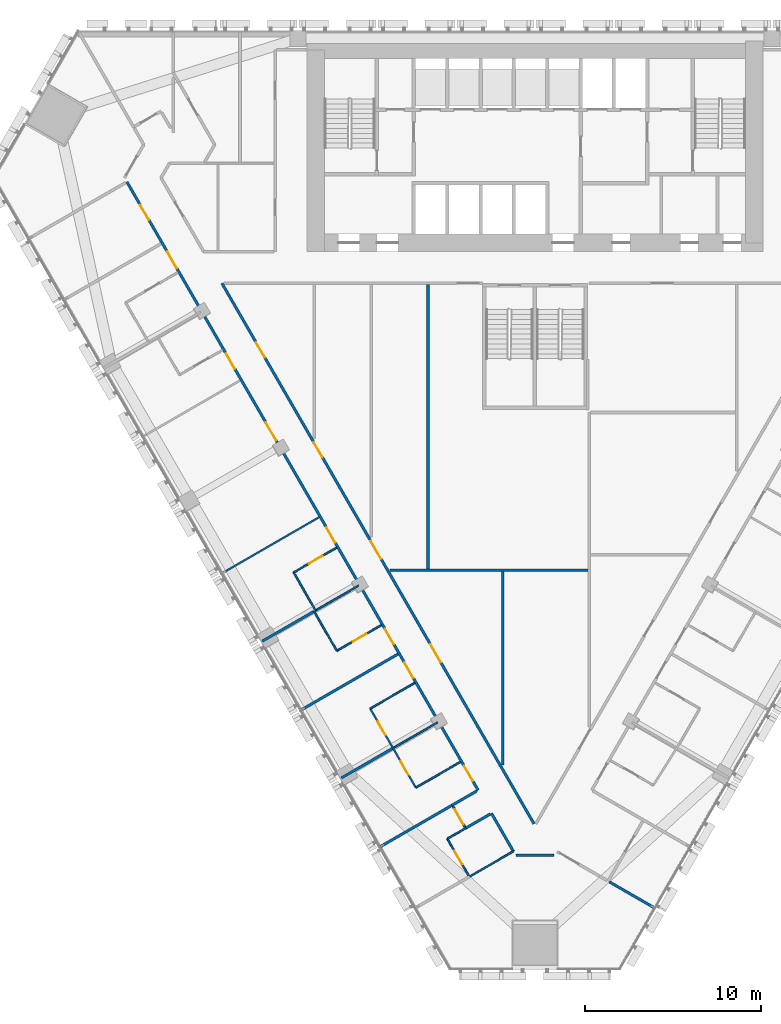
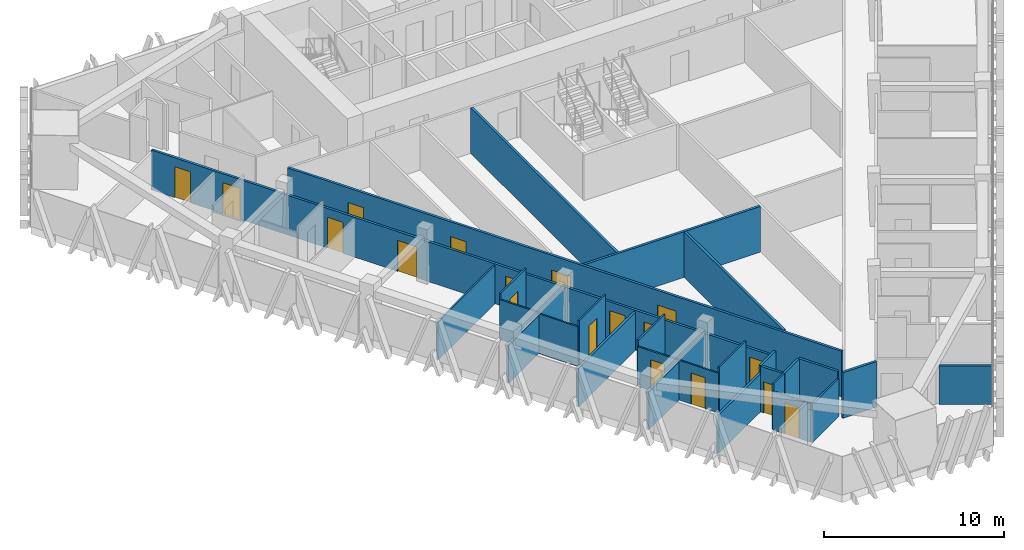
# One storey, part 10 of 18: 28 walls, 18 doors, 18 openings.
"""IFC4 building model written with IfcOpenShell, lengths in metres."""

from ifc_helpers import new_model, si_unit, direction, frame, frame_2d, origin, place, context, subcontext, project, spatial, rectangle, extrude, material, layer, layer_set, type_object, element, fill, save


model = new_model("IFC4")

# Units and contexts
model_context = context("Model", 3, precision=1e-05, world=origin(), true_north=direction((0.0, 1.0)))
body_context = subcontext(model_context, "Body", "Model", "MODEL_VIEW")
ifc_project = project(units=[si_unit("LENGTHUNIT", "METRE"), si_unit("AREAUNIT", "SQUARE_METRE"), si_unit("VOLUMEUNIT", "CUBIC_METRE"), si_unit("PLANEANGLEUNIT", "RADIAN"), si_unit("MASSUNIT", "GRAM", prefix="KILO")], contexts=[model_context])

# Site, building, storey
site_placement = place(None, origin())
site = spatial("IfcSite", under=ifc_project, at=site_placement, CompositionType="ELEMENT")
building_placement = place(site_placement, origin())
building = spatial("IfcBuilding", under=site, at=building_placement, Name="Altiplano Prism Tower", CompositionType="ELEMENT")
storey_placement = place(building_placement, frame((0.0, 0.0, 41.39990234375)))
storey = spatial("IfcBuildingStorey", under=building, at=storey_placement, Name="L09", CompositionType="ELEMENT", Elevation=41.39990234375)

# Wall
ifc_material_1 = material(Name="Plasterboard on steel stud", Category="steel")
ifc_layer_1 = layer(ifc_material_1, 0.10009765625)
ifc_layer_set_1 = layer_set([ifc_layer_1], Name="Plasterboard on steel stud")
wall_type_1 = type_object("IfcWallType", Name="Partition 100 unit", PredefinedType="PARTITIONING", material=ifc_layer_set_1)
wall_1_placement = place(storey_placement, frame((72.501220703125, 71.95703125, 0.0), z_axis=(0.0, 0.0, 1.0), x_axis=(-0.500004234368, 0.866022959057, 0.0)))
element("IfcWall", 1, at=wall_1_placement, inside=storey, type_object=wall_type_1, Name="Partition P02 L09 065", PredefinedType="PARTITIONING", context=body_context, shape_type="SweptSolid", body=[
    extrude(rectangle(XDim=2.5, YDim=0.10009765625, at=frame_2d((1.25, 0.0))), origin(), (0.0, 0.0, 1.0), 2.7001953125),
])

# Wall, opening, door
wall_2_placement = place(storey_placement, frame((71.251220703125, 74.1220703125, 0.0), z_axis=(0.0, 0.0, 1.0), x_axis=(0.866011447264, 0.500024172624, 0.0)))
wall_2 = element("IfcWall", 2, at=wall_2_placement, inside=storey, type_object=wall_type_1, Name="Partition P02 L09 066", PredefinedType="PARTITIONING", context=body_context, shape_type="SweptSolid", body=[
    extrude(rectangle(XDim=2.824951171875, YDim=0.10009765625, at=frame_2d((1.41259765625, 0.0))), origin(), (0.0, 0.0, 1.0), 3.10009765625),
])
opening_1_placement = place(wall_2_placement, frame((1.0, 0.0, 0.0)))
opening_1 = element("IfcOpeningElement", 3, at=opening_1_placement, cuts=wall_2, Name="Opening D0335", PredefinedType="OPENING", context=body_context, shape_type="SweptSolid", body=[
    extrude(rectangle(XDim=0.89990234375, YDim=2.10009765625, at=frame_2d((0.449951171875, 1.050048828125))), frame((0.0, 0.060546875, 0.0), z_axis=(0.0, -1.0, 0.0), x_axis=(1.0, 0.0, 0.0)), (0.0, 0.0, 1.0), 0.12109375),
])
ifc_material_2 = material(Name="Timber", Category="wood")
door_type_1 = type_object("IfcDoorType", Name="Ensuite door 900 x 2100", OperationType="NOTDEFINED", PredefinedType="NOTDEFINED", material=ifc_material_2)
door_1_placement = place(opening_1_placement, origin())
door_1 = element("IfcDoor", 4, at=door_1_placement, inside=storey, type_object=door_type_1, Name="Door D0335", OperationType="SINGLE_SWING_RIGHT", OverallHeight=2.10009765625, OverallWidth=0.89990234375, PredefinedType="NOTDEFINED", context=body_context, shape_type="SweptSolid", body=[
    extrude(rectangle(XDim=0.89990234375, YDim=2.10009765625, at=frame_2d((0.449951171875, 1.050048828125))), frame((0.0, 0.02490234375, 0.0), z_axis=(0.0, -1.0, 0.0), x_axis=(1.0, 0.0, 0.0)), (0.0, 0.0, 1.0), 0.050048828125),
])
fill(opening_1, door_1)

wall_3_placement = place(storey_placement, frame((76.24755859375, 71.117919921875, 0.0), z_axis=(0.0, 0.0, 1.0), x_axis=(-0.866025730634, -0.499999433879, 0.0)))
wall_3 = element("IfcWall", 5, at=wall_3_placement, inside=storey, type_object=wall_type_1, Name="Partition P02 L09 069", PredefinedType="PARTITIONING", context=body_context, shape_type="SweptSolid", body=[
    extrude(rectangle(XDim=2.9248046875, YDim=0.10009765625, at=frame_2d((1.46240234375, 0.0))), origin(), (0.0, 0.0, 1.0), 3.10009765625),
])
opening_2_placement = place(wall_3_placement, frame((0.97509765625, 0.0, 0.0)))
opening_2 = element("IfcOpeningElement", 6, at=opening_2_placement, cuts=wall_3, Name="Opening D0337", PredefinedType="OPENING", context=body_context, shape_type="SweptSolid", body=[
    extrude(rectangle(XDim=0.89990234375, YDim=2.10009765625, at=frame_2d((0.449951171875, 1.050048828125))), frame((0.0, 0.060546875, 0.0), z_axis=(0.0, -1.0, 0.0), x_axis=(1.0, 0.0, 0.0)), (0.0, 0.0, 1.0), 0.12109375),
])
door_2_placement = place(opening_2_placement, origin())
door_2 = element("IfcDoor", 7, at=door_2_placement, inside=storey, type_object=door_type_1, Name="Door D0337", OperationType="SINGLE_SWING_LEFT", OverallHeight=2.10009765625, OverallWidth=0.89990234375, PredefinedType="NOTDEFINED", context=body_context, shape_type="SweptSolid", body=[
    extrude(rectangle(XDim=0.89990234375, YDim=2.10009765625, at=frame_2d((0.449951171875, 1.050048828125))), frame((0.0, 0.02490234375, 0.0), z_axis=(0.0, -1.0, 0.0), x_axis=(1.0, 0.0, 0.0)), (0.0, 0.0, 1.0), 0.050048828125),
])
fill(opening_2, door_2)

# Wall
wall_4_placement = place(storey_placement, frame((73.714599609375, 69.655517578125, 0.0), z_axis=(0.0, 0.0, 1.0), x_axis=(-0.500047596559, 0.865997922154, 0.0)))
element("IfcWall", 8, at=wall_4_placement, inside=storey, type_object=wall_type_1, Name="Partition P02 L09 070", PredefinedType="PARTITIONING", context=body_context, shape_type="SweptSolid", body=[
    extrude(rectangle(XDim=2.599853515625, YDim=0.10009765625, at=frame_2d((1.2998046875, 0.0))), origin(), (0.0, 0.0, 1.0), 2.7001953125),
])

# Wall, openings, doors
wall_5_placement = place(storey_placement, frame((78.214599609375, 61.861083984375, 0.0), z_axis=(0.0, 0.0, 1.0), x_axis=(-0.500006934395, 0.866021400173, 0.0)))
wall_5 = element("IfcWall", 9, at=wall_5_placement, inside=storey, type_object=wall_type_1, Name="Partition P02 L09 072", PredefinedType="PARTITIONING", context=body_context, shape_type="SweptSolid", body=[
    extrude(rectangle(XDim=5.2001953125, YDim=0.10009765625, at=frame_2d((2.60009765625, 0.0))), origin(), (0.0, 0.0, 1.0), 2.7001953125),
])
opening_3_placement = place(wall_5_placement, frame((3.449951171875, 0.0, 0.0)))
opening_3 = element("IfcOpeningElement", 10, at=opening_3_placement, cuts=wall_5, Name="Opening D0339", PredefinedType="OPENING", context=body_context, shape_type="SweptSolid", body=[
    extrude(rectangle(XDim=0.89990234375, YDim=2.10009765625, at=frame_2d((0.449951171875, 1.050048828125))), frame((0.0, 0.060546875, 0.0), z_axis=(0.0, -1.0, 0.0), x_axis=(1.0, 0.0, 0.0)), (0.0, 0.0, 1.0), 0.12109375),
])
opening_4_placement = place(wall_5_placement, frame((0.85009765625, 0.0, 0.0)))
opening_4 = element("IfcOpeningElement", 11, at=opening_4_placement, cuts=wall_5, Name="Opening D0341", PredefinedType="OPENING", context=body_context, shape_type="SweptSolid", body=[
    extrude(rectangle(XDim=0.89990234375, YDim=2.10009765625, at=frame_2d((0.449951171875, 1.050048828125))), frame((0.0, 0.060546875, 0.0), z_axis=(0.0, -1.0, 0.0), x_axis=(1.0, 0.0, 0.0)), (0.0, 0.0, 1.0), 0.12109375),
])
door_3_placement = place(opening_3_placement, origin())
door_3 = element("IfcDoor", 12, at=door_3_placement, inside=storey, type_object=door_type_1, Name="Door D0339", OperationType="SINGLE_SWING_LEFT", OverallHeight=2.10009765625, OverallWidth=0.89990234375, PredefinedType="NOTDEFINED", context=body_context, shape_type="SweptSolid", body=[
    extrude(rectangle(XDim=0.89990234375, YDim=2.10009765625, at=frame_2d((0.449951171875, 1.050048828125))), frame((0.0, 0.02490234375, 0.0), z_axis=(0.0, -1.0, 0.0), x_axis=(1.0, 0.0, 0.0)), (0.0, 0.0, 1.0), 0.050048828125),
])
fill(opening_3, door_3)
door_4_placement = place(opening_4_placement, origin())
door_4 = element("IfcDoor", 13, at=door_4_placement, inside=storey, type_object=door_type_1, Name="Door D0341", OperationType="SINGLE_SWING_LEFT", OverallHeight=2.10009765625, OverallWidth=0.89990234375, PredefinedType="NOTDEFINED", context=body_context, shape_type="SweptSolid", body=[
    extrude(rectangle(XDim=0.89990234375, YDim=2.10009765625, at=frame_2d((0.449951171875, 1.050048828125))), frame((0.0, 0.02490234375, 0.0), z_axis=(0.0, -1.0, 0.0), x_axis=(1.0, 0.0, 0.0)), (0.0, 0.0, 1.0), 0.050048828125),
])
fill(opening_4, door_4)

# Walls
for number, where, z_axis, x_axis, name in (
    (14, (75.614501953125, 66.364501953125, 0.0), (0.0, 0.0, 1.0), (0.866046596414, 0.499963291492, 0.0), "Partition P02 L09 073"),
    (15, (80.74755859375, 63.32373046875, 0.0), (0.0, 0.0, 1.0), (-0.865989585315, -0.500062034277, 0.0), "Partition P02 L09 076"),
):
    element("IfcWall", number, at=place(storey_placement, frame(where, z_axis=z_axis, x_axis=x_axis)), inside=storey, type_object=wall_type_1, Name=name, PredefinedType="PARTITIONING", context=body_context, shape_type="SweptSolid", body=[
        extrude(rectangle(XDim=2.925048828125, YDim=0.10009765625, at=frame_2d((1.46240234375, 0.0))), origin(), (0.0, 0.0, 1.0), 3.10009765625),
    ])

# Wall, opening, door
wall_6_placement = place(storey_placement, frame((81.223876953125, 56.848876953125, 0.0), z_axis=(0.0, 0.0, 1.0), x_axis=(-0.499972286653, 0.866041403502, 0.0)))
wall_6 = element("IfcWall", 16, at=wall_6_placement, inside=storey, type_object=wall_type_1, Name="Partition P02 L09 078", PredefinedType="PARTITIONING", context=body_context, shape_type="SweptSolid", body=[
    extrude(rectangle(XDim=2.425048828125, YDim=0.10009765625, at=frame_2d((1.21240234375, 0.0))), origin(), (0.0, 0.0, 1.0), 2.60009765625),
])
opening_5_placement = place(wall_6_placement, frame((0.72509765625, 0.0, 0.0)))
opening_5 = element("IfcOpeningElement", 17, at=opening_5_placement, cuts=wall_6, Name="Opening D0343", PredefinedType="OPENING", context=body_context, shape_type="SweptSolid", body=[
    extrude(rectangle(XDim=0.89990234375, YDim=2.10009765625, at=frame_2d((0.449951171875, 1.050048828125))), frame((0.0, 0.060546875, 0.0), z_axis=(0.0, -1.0, 0.0), x_axis=(1.0, 0.0, 0.0)), (0.0, 0.0, 1.0), 0.12109375),
])
door_5_placement = place(opening_5_placement, origin())
door_5 = element("IfcDoor", 18, at=door_5_placement, inside=storey, type_object=door_type_1, Name="Door D0343", OperationType="SINGLE_SWING_LEFT", OverallHeight=2.10009765625, OverallWidth=0.89990234375, PredefinedType="NOTDEFINED", context=body_context, shape_type="SweptSolid", body=[
    extrude(rectangle(XDim=0.89990234375, YDim=2.10009765625, at=frame_2d((0.449951171875, 1.050048828125))), frame((0.0, 0.02490234375, 0.0), z_axis=(0.0, -1.0, 0.0), x_axis=(1.0, 0.0, 0.0)), (0.0, 0.0, 1.0), 0.050048828125),
])
fill(opening_5, door_5)

# Walls
wall_7_placement = place(storey_placement, frame((80.011474609375, 58.948974609375, 0.0), z_axis=(0.0, 0.0, 1.0), x_axis=(0.866042269935, 0.499970785833, 0.0)))
element("IfcWall", 19, at=wall_7_placement, inside=storey, type_object=wall_type_1, Name="Partition P02 L09 079", PredefinedType="PARTITIONING", context=body_context, shape_type="SweptSolid", body=[
    extrude(rectangle(XDim=1.2197265625, YDim=0.10009765625, at=frame_2d((0.60986328125, 0.0))), origin(), (0.0, 0.0, 1.0), 3.10009765625),
])
ifc_layer_2 = layer(ifc_material_1, 0.10009765625)
ifc_layer_set_2 = layer_set([ifc_layer_2], Name="Plasterboard on steel stud")
wall_type_2 = type_object("IfcWallType", Name="Partition 100 wet", PredefinedType="PARTITIONING", material=ifc_layer_set_2)
wall_8_placement = place(storey_placement, frame((67.20263671875, 74.093994140625, 0.0), z_axis=(0.0, 0.0, 1.0), x_axis=(0.866015781869, 0.500016665277, 0.0)))
element("IfcWall", 20, at=wall_8_placement, inside=storey, type_object=wall_type_2, Name="Partition P03 L09 064", PredefinedType="PARTITIONING", context=body_context, shape_type="SweptSolid", body=[
    extrude(rectangle(XDim=6.344970703125, YDim=0.10009765625, at=frame_2d((3.17236328125, 0.0))), origin(), (0.0, 0.0, 1.0), 2.60009765625),
])
wall_9_placement = place(storey_placement, frame((72.48388671875, 71.947021484375, 0.0), z_axis=(0.0, 0.0, 1.0), x_axis=(0.866011243319, 0.500024525844, 0.0)))
element("IfcWall", 21, at=wall_9_placement, inside=storey, type_object=wall_type_2, Name="Partition P03 L09 068", PredefinedType="PARTITIONING", context=body_context, shape_type="SweptSolid", body=[
    extrude(rectangle(XDim=2.844970703125, YDim=0.10009765625, at=frame_2d((1.42236328125, 0.0))), origin(), (0.0, 0.0, 1.0), 2.7001953125),
])
wall_10_placement = place(storey_placement, frame((76.957763671875, 64.137939453125, 0.0), z_axis=(0.0, 0.0, 1.0), x_axis=(0.866039941686, 0.499974818771, 0.0)))
element("IfcWall", 22, at=wall_10_placement, inside=storey, type_object=wall_type_2, Name="Partition P03 L09 075", PredefinedType="PARTITIONING", context=body_context, shape_type="SweptSolid", body=[
    extrude(rectangle(XDim=2.875244140625, YDim=0.10009765625, at=frame_2d((1.4375, 0.0))), origin(), (0.0, 0.0, 1.0), 2.7001953125),
])
wall_11_placement = place(storey_placement, frame((81.244140625, 56.77392578125, 0.0), z_axis=(0.0, 0.0, 1.0), x_axis=(0.866032430508, 0.49998782916, 0.0)))
element("IfcWall", 23, at=wall_11_placement, inside=storey, type_object=wall_type_2, Name="Partition P03 L09 082", PredefinedType="PARTITIONING", context=body_context, shape_type="SweptSolid", body=[
    extrude(rectangle(XDim=2.919921875, YDim=0.10009765625, at=frame_2d((1.4599609375, 0.0))), origin(), (0.0, 0.0, 1.0), 2.60009765625),
])

# Wall, openings, doors
ifc_layer_3 = layer(ifc_material_1, 0.14990234375)
ifc_layer_set_3 = layer_set([ifc_layer_3], Name="Plasterboard on steel stud")
wall_type_3 = type_object("IfcWallType", Name="Partition 150 corridor", PredefinedType="PARTITIONING", material=ifc_layer_set_3)
wall_12_placement = place(storey_placement, frame((61.75244140625, 96.37451171875, 0.0), z_axis=(0.0, 0.0, 1.0), x_axis=(0.500000920025, -0.866024872607, 0.0)))
wall_12 = element("IfcWall", 24, at=wall_12_placement, inside=storey, type_object=wall_type_3, Name="Partition P06 L09 013", PredefinedType="PARTITIONING", context=body_context, shape_type="SweptSolid", body=[
    extrude(rectangle(XDim=40.0205078125, YDim=0.14990234375, at=frame_2d((20.01025390625, 0.0))), origin(), (0.0, 0.0, 1.0), 2.7001953125),
])
opening_6_placement = place(wall_12_placement, frame((1.510009765625, 0.0, 0.0)))
opening_6 = element("IfcOpeningElement", 25, at=opening_6_placement, cuts=wall_12, Name="Opening D0328", PredefinedType="OPENING", context=body_context, shape_type="SweptSolid", body=[
    extrude(rectangle(XDim=1.0, YDim=2.10009765625, at=frame_2d((0.5, 1.050048828125))), frame((0.0, 0.08544921875, 0.0), z_axis=(0.0, -1.0, 0.0), x_axis=(1.0, 0.0, 0.0)), (0.0, 0.0, 1.0), 0.1708984375),
])
opening_7_placement = place(wall_12_placement, frame((4.591064453125, 0.0, 0.0)))
opening_7 = element("IfcOpeningElement", 26, at=opening_7_placement, cuts=wall_12, Name="Opening D0329", PredefinedType="OPENING", context=body_context, shape_type="SweptSolid", body=[
    extrude(rectangle(XDim=1.10009765625, YDim=2.10009765625, at=frame_2d((0.550048828125, 1.050048828125))), frame((0.0, 0.08544921875, 0.0), z_axis=(0.0, -1.0, 0.0), x_axis=(1.0, 0.0, 0.0)), (0.0, 0.0, 1.0), 0.1708984375),
])
opening_8_placement = place(wall_12_placement, frame((11.300048828125, 0.0, 0.0)))
opening_8 = element("IfcOpeningElement", 27, at=opening_8_placement, cuts=wall_12, Name="Opening D0331", PredefinedType="OPENING", context=body_context, shape_type="SweptSolid", body=[
    extrude(rectangle(XDim=1.0, YDim=2.10009765625, at=frame_2d((0.5, 1.050048828125))), frame((0.0, 0.08544921875, 0.0), z_axis=(0.0, -1.0, 0.0), x_axis=(1.0, 0.0, 0.0)), (0.0, 0.0, 1.0), 0.1708984375),
])
opening_9_placement = place(wall_12_placement, frame((15.821044921875, 0.0, 0.0)))
opening_9 = element("IfcOpeningElement", 28, at=opening_9_placement, cuts=wall_12, Name="Opening D0333", PredefinedType="OPENING", context=body_context, shape_type="SweptSolid", body=[
    extrude(rectangle(XDim=1.199951171875, YDim=2.10009765625, at=frame_2d((0.60009765625, 1.050048828125))), frame((0.0, 0.08544921875, 0.0), z_axis=(0.0, -1.0, 0.0), x_axis=(1.0, 0.0, 0.0)), (0.0, 0.0, 1.0), 0.1708984375),
])
opening_10_placement = place(wall_12_placement, frame((22.740966796875, 0.0, 0.0)))
opening_10 = element("IfcOpeningElement", 29, at=opening_10_placement, cuts=wall_12, Name="Opening D0334", PredefinedType="OPENING", context=body_context, shape_type="SweptSolid", body=[
    extrude(rectangle(XDim=1.0, YDim=2.10009765625, at=frame_2d((0.5, 1.050048828125))), frame((0.0, 0.08544921875, 0.0), z_axis=(0.0, -1.0, 0.0), x_axis=(1.0, 0.0, 0.0)), (0.0, 0.0, 1.0), 0.1708984375),
])
opening_11_placement = place(wall_12_placement, frame((29.416015625, 0.0, 0.0)))
opening_11 = element("IfcOpeningElement", 30, at=opening_11_placement, cuts=wall_12, Name="Opening D0336", PredefinedType="OPENING", context=body_context, shape_type="SweptSolid", body=[
    extrude(rectangle(XDim=1.0, YDim=2.10009765625, at=frame_2d((0.5, 1.050048828125))), frame((0.0, 0.08544921875, 0.0), z_axis=(0.0, -1.0, 0.0), x_axis=(1.0, 0.0, 0.0)), (0.0, 0.0, 1.0), 0.1708984375),
])
opening_12_placement = place(wall_12_placement, frame((31.625, 0.0, 0.0)))
opening_12 = element("IfcOpeningElement", 31, at=opening_12_placement, cuts=wall_12, Name="Opening D0338", PredefinedType="OPENING", context=body_context, shape_type="SweptSolid", body=[
    extrude(rectangle(XDim=1.0, YDim=2.10009765625, at=frame_2d((0.5, 1.050048828125))), frame((0.0, 0.08544921875, 0.0), z_axis=(0.0, -1.0, 0.0), x_axis=(1.0, 0.0, 0.0)), (0.0, 0.0, 1.0), 0.1708984375),
])
opening_13_placement = place(wall_12_placement, frame((38.416015625, 0.0, 0.0)))
opening_13 = element("IfcOpeningElement", 32, at=opening_13_placement, cuts=wall_12, Name="Opening D0340", PredefinedType="OPENING", context=body_context, shape_type="SweptSolid", body=[
    extrude(rectangle(XDim=1.0, YDim=2.10009765625, at=frame_2d((0.5, 1.050048828125))), frame((0.0, 0.08544921875, 0.0), z_axis=(0.0, -1.0, 0.0), x_axis=(1.0, 0.0, 0.0)), (0.0, 0.0, 1.0), 0.1708984375),
])
door_type_2 = type_object("IfcDoorType", Name="Accessible bedroom door 1100 x 2100", OperationType="NOTDEFINED", PredefinedType="NOTDEFINED", material=ifc_material_2)
door_6_placement = place(opening_7_placement, origin())
door_6 = element("IfcDoor", 33, at=door_6_placement, inside=storey, type_object=door_type_2, Name="Door D0329", OperationType="SINGLE_SWING_LEFT", OverallHeight=2.10009765625, OverallWidth=1.10009765625, PredefinedType="NOTDEFINED", context=body_context, shape_type="SweptSolid", body=[
    extrude(rectangle(XDim=1.10009765625, YDim=2.10009765625, at=frame_2d((0.550048828125, 1.050048828125))), frame((0.0, 0.02490234375, 0.0), z_axis=(0.0, -1.0, 0.0), x_axis=(1.0, 0.0, 0.0)), (0.0, 0.0, 1.0), 0.050048828125),
])
fill(opening_7, door_6)
door_type_3 = type_object("IfcDoorType", Name="Bedroom entrance door 1000 x 2100", OperationType="NOTDEFINED", PredefinedType="NOTDEFINED", material=ifc_material_2)
door_7_placement = place(opening_8_placement, origin())
door_7 = element("IfcDoor", 34, at=door_7_placement, inside=storey, type_object=door_type_3, Name="Door D0331", OperationType="SINGLE_SWING_RIGHT", OverallHeight=2.10009765625, OverallWidth=1.0, PredefinedType="NOTDEFINED", context=body_context, shape_type="SweptSolid", body=[
    extrude(rectangle(XDim=1.0, YDim=2.10009765625, at=frame_2d((0.5, 1.050048828125))), frame((0.0, 0.02490234375, 0.0), z_axis=(0.0, -1.0, 0.0), x_axis=(1.0, 0.0, 0.0)), (0.0, 0.0, 1.0), 0.050048828125),
])
fill(opening_8, door_7)
door_8_placement = place(opening_10_placement, origin())
door_8 = element("IfcDoor", 35, at=door_8_placement, inside=storey, type_object=door_type_3, Name="Door D0334", OperationType="SINGLE_SWING_LEFT", OverallHeight=2.10009765625, OverallWidth=1.0, PredefinedType="NOTDEFINED", context=body_context, shape_type="SweptSolid", body=[
    extrude(rectangle(XDim=1.0, YDim=2.10009765625, at=frame_2d((0.5, 1.050048828125))), frame((0.0, 0.02490234375, 0.0), z_axis=(0.0, -1.0, 0.0), x_axis=(1.0, 0.0, 0.0)), (0.0, 0.0, 1.0), 0.050048828125),
])
fill(opening_10, door_8)
door_9_placement = place(opening_11_placement, origin())
door_9 = element("IfcDoor", 36, at=door_9_placement, inside=storey, type_object=door_type_3, Name="Door D0336", OperationType="SINGLE_SWING_RIGHT", OverallHeight=2.10009765625, OverallWidth=1.0, PredefinedType="NOTDEFINED", context=body_context, shape_type="SweptSolid", body=[
    extrude(rectangle(XDim=1.0, YDim=2.10009765625, at=frame_2d((0.5, 1.050048828125))), frame((0.0, 0.02490234375, 0.0), z_axis=(0.0, -1.0, 0.0), x_axis=(1.0, 0.0, 0.0)), (0.0, 0.0, 1.0), 0.050048828125),
])
fill(opening_11, door_9)
door_10_placement = place(opening_12_placement, origin())
door_10 = element("IfcDoor", 37, at=door_10_placement, inside=storey, type_object=door_type_3, Name="Door D0338", OperationType="SINGLE_SWING_LEFT", OverallHeight=2.10009765625, OverallWidth=1.0, PredefinedType="NOTDEFINED", context=body_context, shape_type="SweptSolid", body=[
    extrude(rectangle(XDim=1.0, YDim=2.10009765625, at=frame_2d((0.5, 1.050048828125))), frame((0.0, 0.02490234375, 0.0), z_axis=(0.0, -1.0, 0.0), x_axis=(1.0, 0.0, 0.0)), (0.0, 0.0, 1.0), 0.050048828125),
])
fill(opening_12, door_10)
door_11_placement = place(opening_13_placement, origin())
door_11 = element("IfcDoor", 38, at=door_11_placement, inside=storey, type_object=door_type_3, Name="Door D0340", OperationType="SINGLE_SWING_RIGHT", OverallHeight=2.10009765625, OverallWidth=1.0, PredefinedType="NOTDEFINED", context=body_context, shape_type="SweptSolid", body=[
    extrude(rectangle(XDim=1.0, YDim=2.10009765625, at=frame_2d((0.5, 1.050048828125))), frame((0.0, 0.02490234375, 0.0), z_axis=(0.0, -1.0, 0.0), x_axis=(1.0, 0.0, 0.0)), (0.0, 0.0, 1.0), 0.050048828125),
])
fill(opening_13, door_11)
door_type_4 = type_object("IfcDoorType", Name="Room door 1000 x 2100", OperationType="NOTDEFINED", PredefinedType="NOTDEFINED", material=ifc_material_2)
door_12_placement = place(opening_6_placement, origin())
door_12 = element("IfcDoor", 39, at=door_12_placement, inside=storey, type_object=door_type_4, Name="Door D0328", OperationType="SINGLE_SWING_RIGHT", OverallHeight=2.10009765625, OverallWidth=1.0, PredefinedType="NOTDEFINED", context=body_context, shape_type="SweptSolid", body=[
    extrude(rectangle(XDim=1.0, YDim=2.10009765625, at=frame_2d((0.5, 1.050048828125))), frame((0.0, 0.02490234375, 0.0), z_axis=(0.0, -1.0, 0.0), x_axis=(1.0, 0.0, 0.0)), (0.0, 0.0, 1.0), 0.050048828125),
])
fill(opening_6, door_12)
door_type_5 = type_object("IfcDoorType", Name="Shared room door 1200 x 2100", OperationType="NOTDEFINED", PredefinedType="NOTDEFINED", material=ifc_material_2)
door_13_placement = place(opening_9_placement, origin())
door_13 = element("IfcDoor", 40, at=door_13_placement, inside=storey, type_object=door_type_5, Name="Door D0333", OperationType="SINGLE_SWING_RIGHT", OverallHeight=2.10009765625, OverallWidth=1.199951171875, PredefinedType="NOTDEFINED", context=body_context, shape_type="SweptSolid", body=[
    extrude(rectangle(XDim=1.199951171875, YDim=2.10009765625, at=frame_2d((0.60009765625, 1.050048828125))), frame((0.0, 0.02490234375, 0.0), z_axis=(0.0, -1.0, 0.0), x_axis=(1.0, 0.0, 0.0)), (0.0, 0.0, 1.0), 0.050048828125),
])
fill(opening_9, door_13)

# Wall
wall_13_placement = place(storey_placement, frame((81.69775390625, 61.67822265625, 0.0), z_axis=(0.0, 0.0, 1.0), x_axis=(-0.866052144996, -0.499953680002, 0.0)))
element("IfcWall", 41, at=wall_13_placement, inside=storey, type_object=wall_type_3, Name="Partition P06 L09 014", PredefinedType="PARTITIONING", context=body_context, shape_type="SweptSolid", body=[
    extrude(rectangle(XDim=1.645263671875, YDim=0.14990234375, at=frame_2d((0.82275390625, 0.0))), origin(), (0.0, 0.0, 1.0), 3.10009765625),
])

# Wall, opening, door
wall_14_placement = place(storey_placement, frame((80.327880859375, 60.80078125, 0.0), z_axis=(0.0, 0.0, 1.0), x_axis=(0.499989712218, -0.866031343357, 0.0)))
wall_14 = element("IfcWall", 42, at=wall_14_placement, inside=storey, type_object=wall_type_3, Name="Partition P06 L09 015", PredefinedType="PARTITIONING", context=body_context, shape_type="SweptSolid", body=[
    extrude(rectangle(XDim=1.37060546875, YDim=0.14990234375, at=frame_2d((0.685302734375, 0.0))), origin(), (0.0, 0.0, 1.0), 3.10009765625),
])
opening_14_placement = place(wall_14_placement, frame((0.195068359375, 0.0, 0.0)))
opening_14 = element("IfcOpeningElement", 43, at=opening_14_placement, cuts=wall_14, Name="Opening D0342", PredefinedType="OPENING", context=body_context, shape_type="SweptSolid", body=[
    extrude(rectangle(XDim=1.0, YDim=2.10009765625, at=frame_2d((0.5, 1.050048828125))), frame((0.0, 0.08544921875, 0.0), z_axis=(0.0, -1.0, 0.0), x_axis=(1.0, 0.0, 0.0)), (0.0, 0.0, 1.0), 0.1708984375),
])
door_14_placement = place(opening_14_placement, origin())
door_14 = element("IfcDoor", 44, at=door_14_placement, inside=storey, type_object=door_type_3, Name="Door D0342", OperationType="SINGLE_SWING_LEFT", OverallHeight=2.10009765625, OverallWidth=1.0, PredefinedType="NOTDEFINED", context=body_context, shape_type="SweptSolid", body=[
    extrude(rectangle(XDim=1.0, YDim=2.10009765625, at=frame_2d((0.5, 1.050048828125))), frame((0.0, 0.02490234375, 0.0), z_axis=(0.0, -1.0, 0.0), x_axis=(1.0, 0.0, 0.0)), (0.0, 0.0, 1.0), 0.050048828125),
])
fill(opening_14, door_14)

# Walls
wall_15_placement = place(storey_placement, frame((81.033203125, 59.538818359375, 0.0), z_axis=(0.0, 0.0, 1.0), x_axis=(0.866052144996, 0.499953680002, 0.0)))
element("IfcWall", 45, at=wall_15_placement, inside=storey, type_object=wall_type_3, Name="Partition P06 L09 016", PredefinedType="PARTITIONING", context=body_context, shape_type="SweptSolid", body=[
    extrude(rectangle(XDim=1.645263671875, YDim=0.14990234375, at=frame_2d((0.82275390625, 0.0))), origin(), (0.0, 0.0, 1.0), 3.10009765625),
])
wall_16_placement = place(storey_placement, frame((82.52294921875, 60.39892578125, 0.0), z_axis=(0.0, 0.0, 1.0), x_axis=(0.500004234368, -0.866022959057, 0.0)))
element("IfcWall", 46, at=wall_16_placement, inside=storey, type_object=wall_type_3, Name="Partition P06 L09 017", PredefinedType="PARTITIONING", context=body_context, shape_type="SweptSolid", body=[
    extrude(rectangle(XDim=2.5, YDim=0.14990234375, at=frame_2d((1.25, 0.0))), origin(), (0.0, 0.0, 1.0), 3.10009765625),
])
wall_17_placement = place(storey_placement, frame((83.90673828125, 58.001953125, 0.0), z_axis=(0.0, 0.0, 1.0), x_axis=(1.0, 0.0, 0.0)))
element("IfcWall", 47, at=wall_17_placement, inside=storey, type_object=wall_type_3, Name="Partition P06 L09 018", PredefinedType="PARTITIONING", context=body_context, shape_type="SweptSolid", body=[
    extrude(rectangle(XDim=2.1865234375, YDim=0.14990234375, at=frame_2d((1.09326171875, 0.0))), origin(), (0.0, 0.0, 1.0), 3.10009765625),
])

# Wall, openings, doors
wall_18_placement = place(storey_placement, frame((84.9453125, 59.802978515625, 0.0), z_axis=(0.0, 0.0, 1.0), x_axis=(-0.49999562485, 0.866027929764, 0.0)))
wall_18 = element("IfcWall", 48, at=wall_18_placement, inside=storey, type_object=wall_type_3, Name="Partition P06 L09 049", PredefinedType="PARTITIONING", context=body_context, shape_type="SweptSolid", body=[
    extrude(rectangle(XDim=35.561279296875, YDim=0.14990234375, at=frame_2d((17.78076171875, 0.0))), origin(), (0.0, 0.0, 1.0), 3.10009765625),
])
opening_15_placement = place(wall_18_placement, frame((17.406005859375, 0.0, 0.0)))
opening_15 = element("IfcOpeningElement", 49, at=opening_15_placement, cuts=wall_18, Name="Opening D0364", PredefinedType="OPENING", context=body_context, shape_type="SweptSolid", body=[
    extrude(rectangle(XDim=1.199951171875, YDim=2.10009765625, at=frame_2d((0.60009765625, 1.050048828125))), frame((0.0, 0.08544921875, 0.0), z_axis=(0.0, -1.0, 0.0), x_axis=(1.0, 0.0, 0.0)), (0.0, 0.0, 1.0), 0.1708984375),
])
opening_16_placement = place(wall_18_placement, frame((24.094970703125, 0.0, 0.0)))
opening_16 = element("IfcOpeningElement", 50, at=opening_16_placement, cuts=wall_18, Name="Opening D0365", PredefinedType="OPENING", context=body_context, shape_type="SweptSolid", body=[
    extrude(rectangle(XDim=1.0, YDim=2.10009765625, at=frame_2d((0.5, 1.050048828125))), frame((0.0, 0.08544921875, 0.0), z_axis=(0.0, -1.0, 0.0), x_axis=(1.0, 0.0, 0.0)), (0.0, 0.0, 1.0), 0.1708984375),
])
opening_17_placement = place(wall_18_placement, frame((10.613037109375, 0.0, 0.0)))
opening_17 = element("IfcOpeningElement", 51, at=opening_17_placement, cuts=wall_18, Name="Opening D0366", PredefinedType="OPENING", context=body_context, shape_type="SweptSolid", body=[
    extrude(rectangle(XDim=1.199951171875, YDim=2.10009765625, at=frame_2d((0.60009765625, 1.050048828125))), frame((0.0, 0.08544921875, 0.0), z_axis=(0.0, -1.0, 0.0), x_axis=(1.0, 0.0, 0.0)), (0.0, 0.0, 1.0), 0.1708984375),
])
opening_18_placement = place(wall_18_placement, frame((30.672119140625, 0.0, 0.0)))
opening_18 = element("IfcOpeningElement", 52, at=opening_18_placement, cuts=wall_18, Name="Opening D0371", PredefinedType="OPENING", context=body_context, shape_type="SweptSolid", body=[
    extrude(rectangle(XDim=1.0, YDim=2.10009765625, at=frame_2d((0.5, 1.050048828125))), frame((0.0, 0.08544921875, 0.0), z_axis=(0.0, -1.0, 0.0), x_axis=(1.0, 0.0, 0.0)), (0.0, 0.0, 1.0), 0.1708984375),
])
door_15_placement = place(opening_15_placement, origin())
door_15 = element("IfcDoor", 53, at=door_15_placement, inside=storey, type_object=door_type_5, Name="Door D0364", OperationType="SINGLE_SWING_RIGHT", OverallHeight=2.10009765625, OverallWidth=1.199951171875, PredefinedType="NOTDEFINED", context=body_context, shape_type="SweptSolid", body=[
    extrude(rectangle(XDim=1.199951171875, YDim=2.10009765625, at=frame_2d((0.60009765625, 1.050048828125))), frame((0.0, 0.02490234375, 0.0), z_axis=(0.0, -1.0, 0.0), x_axis=(1.0, 0.0, 0.0)), (0.0, 0.0, 1.0), 0.050048828125),
])
fill(opening_15, door_15)
door_16_placement = place(opening_17_placement, origin())
door_16 = element("IfcDoor", 54, at=door_16_placement, inside=storey, type_object=door_type_5, Name="Door D0366", OperationType="SINGLE_SWING_RIGHT", OverallHeight=2.10009765625, OverallWidth=1.199951171875, PredefinedType="NOTDEFINED", context=body_context, shape_type="SweptSolid", body=[
    extrude(rectangle(XDim=1.199951171875, YDim=2.10009765625, at=frame_2d((0.60009765625, 1.050048828125))), frame((0.0, 0.02490234375, 0.0), z_axis=(0.0, -1.0, 0.0), x_axis=(1.0, 0.0, 0.0)), (0.0, 0.0, 1.0), 0.050048828125),
])
fill(opening_17, door_16)
door_type_6 = type_object("IfcDoorType", Name="Store door 1000 x 2100", OperationType="NOTDEFINED", PredefinedType="NOTDEFINED", material=ifc_material_2)
door_17_placement = place(opening_16_placement, origin())
door_17 = element("IfcDoor", 55, at=door_17_placement, inside=storey, type_object=door_type_6, Name="Door D0365", OperationType="SINGLE_SWING_LEFT", OverallHeight=2.10009765625, OverallWidth=1.0, PredefinedType="NOTDEFINED", context=body_context, shape_type="SweptSolid", body=[
    extrude(rectangle(XDim=1.0, YDim=2.10009765625, at=frame_2d((0.5, 1.050048828125))), frame((0.0, 0.02490234375, 0.0), z_axis=(0.0, -1.0, 0.0), x_axis=(1.0, 0.0, 0.0)), (0.0, 0.0, 1.0), 0.050048828125),
])
fill(opening_16, door_17)
door_18_placement = place(opening_18_placement, origin())
door_18 = element("IfcDoor", 56, at=door_18_placement, inside=storey, type_object=door_type_6, Name="Door D0371", OperationType="SINGLE_SWING_RIGHT", OverallHeight=2.10009765625, OverallWidth=1.0, PredefinedType="NOTDEFINED", context=body_context, shape_type="SweptSolid", body=[
    extrude(rectangle(XDim=1.0, YDim=2.10009765625, at=frame_2d((0.5, 1.050048828125))), frame((0.0, 0.02490234375, 0.0), z_axis=(0.0, -1.0, 0.0), x_axis=(1.0, 0.0, 0.0)), (0.0, 0.0, 1.0), 0.050048828125),
])
fill(opening_18, door_18)

# Walls
ifc_layer_4 = layer(ifc_material_1, 0.14990234375)
ifc_layer_set_4 = layer_set([ifc_layer_4], Name="Plasterboard on steel stud")
wall_type_4 = type_object("IfcWallType", Name="Partition 150 party", PredefinedType="PARTITIONING", material=ifc_layer_set_4)
wall_19_placement = place(storey_placement, frame((69.469970703125, 70.20703125, 0.0), z_axis=(0.0, 0.0, 1.0), x_axis=(0.866038511948, 0.499977295307, 0.0)))
element("IfcWall", 57, at=wall_19_placement, inside=storey, type_object=wall_type_4, Name="Partition P01 L09 067", PredefinedType="PARTITIONING", context=body_context, shape_type="SweptSolid", body=[
    extrude(rectangle(XDim=3.400146484375, YDim=0.14990234375, at=frame_2d((1.7001953125, 0.0))), origin(), (0.0, 0.0, 1.0), 2.60009765625),
])
wall_20_placement = place(storey_placement, frame((71.70263671875, 66.2998046875, 0.0), z_axis=(0.0, 0.0, 1.0), x_axis=(0.866025401434, 0.500000004071, 0.0)))
element("IfcWall", 58, at=wall_20_placement, inside=storey, type_object=wall_type_4, Name="Partition P01 L09 071", PredefinedType="PARTITIONING", context=body_context, shape_type="SweptSolid", body=[
    extrude(rectangle(XDim=6.34521484375, YDim=0.14990234375, at=frame_2d((3.172607421875, 0.0))), origin(), (0.0, 0.0, 1.0), 2.60009765625),
])
wall_21_placement = place(storey_placement, frame((73.969970703125, 62.412841796875, 0.0), z_axis=(0.0, 0.0, 1.0), x_axis=(0.866014461049, 0.500018952895, 0.0)))
element("IfcWall", 59, at=wall_21_placement, inside=storey, type_object=wall_type_4, Name="Partition P01 L09 074", PredefinedType="PARTITIONING", context=body_context, shape_type="SweptSolid", body=[
    extrude(rectangle(XDim=3.349853515625, YDim=0.14990234375, at=frame_2d((1.6748046875, 0.0))), origin(), (0.0, 0.0, 1.0), 2.60009765625),
])
wall_22_placement = place(storey_placement, frame((76.20263671875, 58.505615234375, 0.0), z_axis=(0.0, 0.0, 1.0), x_axis=(0.866015897305, 0.500016465344, 0.0)))
element("IfcWall", 60, at=wall_22_placement, inside=storey, type_object=wall_type_4, Name="Partition P01 L09 077", PredefinedType="PARTITIONING", context=body_context, shape_type="SweptSolid", body=[
    extrude(rectangle(XDim=4.719970703125, YDim=0.14990234375, at=frame_2d((2.35986328125, 0.0))), origin(), (0.0, 0.0, 1.0), 2.60009765625),
])
wall_23_placement = place(storey_placement, frame((91.787109375, 55.023681640625, 0.0), z_axis=(0.0, 0.0, 1.0), x_axis=(-0.866010265175, 0.500026219923, 0.0)))
element("IfcWall", 61, at=wall_23_placement, inside=storey, type_object=wall_type_4, Name="Partition P01 L09 083", PredefinedType="PARTITIONING", context=body_context, shape_type="SweptSolid", body=[
    extrude(rectangle(XDim=2.945068359375, YDim=0.14990234375, at=frame_2d((1.47265625, 0.0))), origin(), (0.0, 0.0, 1.0), 2.60009765625),
])
wall_24_placement = place(storey_placement, frame((76.733154296875, 74.251953125, 0.0), z_axis=(0.0, 0.0, 1.0), x_axis=(1.0, 0.0, 0.0)))
element("IfcWall", 62, at=wall_24_placement, inside=storey, type_object=wall_type_4, Name="Partition P01 L09 106", PredefinedType="PARTITIONING", context=body_context, shape_type="SweptSolid", body=[
    extrude(rectangle(XDim=11.276123046875, YDim=0.14990234375, at=frame_2d((5.63818359375, 0.0))), origin(), (0.0, 0.0, 1.0), 3.10009765625),
])
wall_25_placement = place(storey_placement, frame((78.908203125, 90.524169921875, 0.0), z_axis=(0.0, 0.0, 1.0), x_axis=(0.0, -1.0, 0.0)))
element("IfcWall", 63, at=wall_25_placement, inside=storey, type_object=wall_type_4, Name="Partition P01 L09 107", PredefinedType="PARTITIONING", context=body_context, shape_type="SweptSolid", body=[
    extrude(rectangle(XDim=16.197265625, YDim=0.14990234375, at=frame_2d((8.0986328125, 0.0))), origin(), (0.0, 0.0, 1.0), 3.10009765625),
])
wall_26_placement = place(storey_placement, frame((83.169677734375, 74.1767578125, 0.0), z_axis=(0.0, 0.0, 1.0), x_axis=(0.0, -1.0, 0.0)))
element("IfcWall", 64, at=wall_26_placement, inside=storey, type_object=wall_type_4, Name="Partition P01 L09 112", PredefinedType="PARTITIONING", context=body_context, shape_type="SweptSolid", body=[
    extrude(rectangle(XDim=11.018310546875, YDim=0.14990234375, at=frame_2d((5.50927734375, 0.0))), origin(), (0.0, 0.0, 1.0), 3.10009765625),
])

save(model, "model.ifc")
